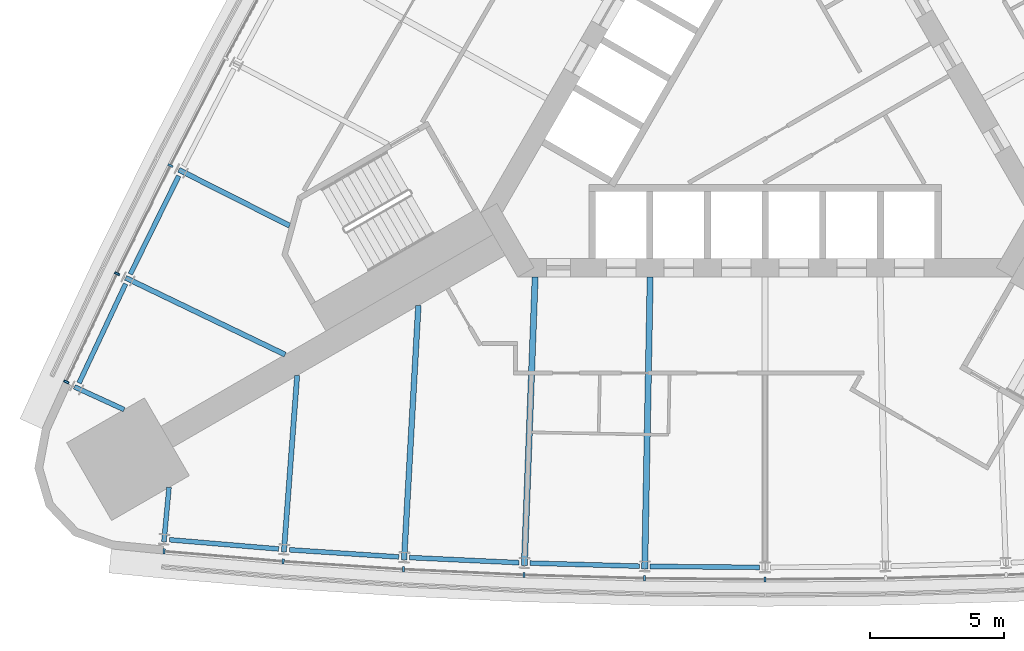
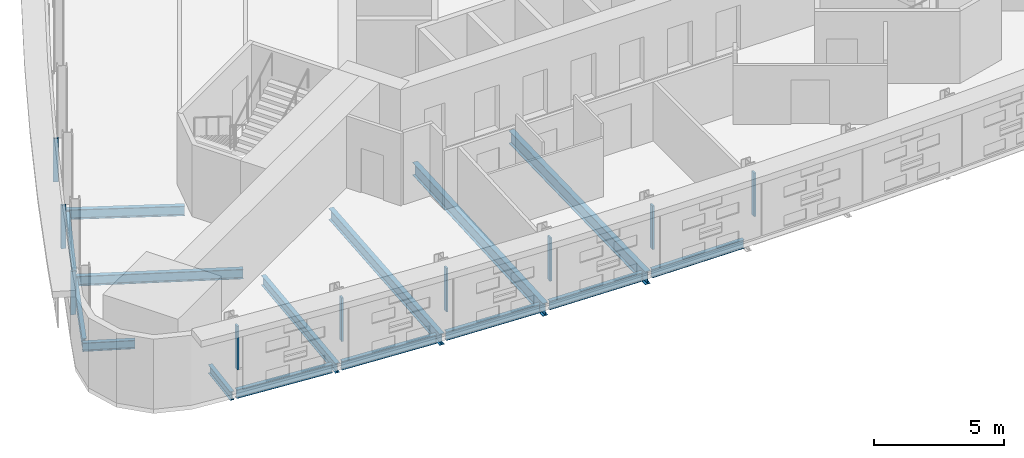
# One storey, part 2 of 14: 15 beams, 9 members, 2 elements without a shape of their own.
"""IFC4 building model written with IfcOpenShell, lengths in metres."""

import ifcopenshell
import ifcopenshell.guid

model = None  # the IFC model being written
_history = None  # IfcOwnerHistory: only IFC2X3 demands one
_inside = {}  # id of a spatial element -> (the spatial element, [elements in it])
_under = {}  # id of a project, library or spatial element -> (it, [spatial elements below it])
_declared = {}  # id of a project -> (the project, [libraries it declares])
_typed = {}  # id of a type object -> (the type object, [elements of that type])
_made_of = {}  # id of a material, layer set ... -> (it, [elements and type objects made of it])


def new_model(schema):
    """Start an empty IFC model of exactly this schema.

    Asked for "IFC4X3", IfcOpenShell would pick the latest addendum, in which some entities
    have other attributes; the version numbers below select the first issue.
    IFC2X3 requires an IfcOwnerHistory on every rooted entity: one is made here for all.
    """
    global model, _history
    if schema == "IFC4X3":
        model = ifcopenshell.file(schema_version=(4, 3, 0, 0))
    else:
        model = ifcopenshell.file(schema=schema)
    _inside.clear()
    _under.clear()
    _declared.clear()
    _typed.clear()
    _made_of.clear()
    _history = None
    if model.schema == "IFC2X3":
        org = make("IfcOrganization", Name="unknown")
        user = make(
            "IfcPersonAndOrganization",
            ThePerson=make("IfcPerson", FamilyName="unknown"),
            TheOrganization=org,
        )
        app = make(
            "IfcApplication",
            ApplicationDeveloper=org,
            Version="unknown",
            ApplicationFullName="unknown",
            ApplicationIdentifier="unknown",
        )
        _history = make(
            "IfcOwnerHistory",
            OwningUser=user,
            OwningApplication=app,
            ChangeAction="ADDED",
            CreationDate=0,
        )
    return model


def make(cls, **values):
    """One entity of the class cls with the attributes given. An attribute that is None is left unset."""
    return model.create_entity(
        cls, **{name: value for name, value in values.items() if value is not None}
    )


def rooted(cls, **values):
    """An entity with a GlobalId (a new one), such as an element, a storey or a relation."""
    return make(cls, GlobalId=ifcopenshell.guid.new(), OwnerHistory=_history, **values)


def si_unit(unit_type, name, prefix=None):
    """IfcSIUnit, for example si_unit("LENGTHUNIT", "METRE", prefix="MILLI")."""
    return make("IfcSIUnit", UnitType=unit_type, Prefix=prefix, Name=name)


def assignment(units):
    """IfcUnitAssignment: the units of a project."""
    return None if units is None else make("IfcUnitAssignment", Units=units)


def point(xyz):
    """IfcCartesianPoint."""
    return None if xyz is None else make("IfcCartesianPoint", Coordinates=xyz)


def direction(xyz):
    """IfcDirection."""
    return None if xyz is None else make("IfcDirection", DirectionRatios=xyz)


def frame(location, z_axis=None, x_axis=None):
    """IfcAxis2Placement3D, a coordinate frame: its origin and axes. An axis left out is left unset."""
    return make(
        "IfcAxis2Placement3D",
        Location=point(location),
        Axis=direction(z_axis),
        RefDirection=direction(x_axis),
    )


def frame_2d(location, x_axis=None):
    """IfcAxis2Placement2D, a coordinate frame in the plane: its origin and x axis."""
    return make(
        "IfcAxis2Placement2D", Location=point(location), RefDirection=direction(x_axis)
    )


def origin():
    """The frame at (0, 0, 0) with its axes left unset."""
    return frame((0.0, 0.0, 0.0))


def origin_2d():
    """The frame at (0, 0) in the plane with its x axis left unset."""
    return frame_2d((0.0, 0.0))


def place(relative_to, where):
    """IfcLocalPlacement: puts the frame where relative to a parent placement (None: the world)."""
    return make(
        "IfcLocalPlacement", PlacementRelTo=relative_to, RelativePlacement=where
    )


def context(
    kind, dimensions, precision=None, world=None, true_north=None, identifier=None
):
    """IfcGeometricRepresentationContext, for example the 3D "Model" context."""
    return make(
        "IfcGeometricRepresentationContext",
        ContextIdentifier=identifier,
        ContextType=kind,
        CoordinateSpaceDimension=dimensions,
        Precision=precision,
        WorldCoordinateSystem=world,
        TrueNorth=true_north,
    )


def subcontext(parent, identifier, kind, view, scale=None):
    """IfcGeometricRepresentationSubContext, for example "Body" below "Model"."""
    return make(
        "IfcGeometricRepresentationSubContext",
        ContextIdentifier=identifier,
        ContextType=kind,
        ParentContext=parent,
        TargetScale=scale,
        TargetView=view,
    )


def project(units=None, contexts=None):
    """IfcProject with its units and contexts."""
    return rooted(
        "IfcProject",
        Name="project",
        RepresentationContexts=contexts,
        UnitsInContext=assignment(units),
    )


def spatial(cls, under=None, at=None, **own):
    """A site, building, storey or space (cls), placed at a placement, below another one or the project."""
    s = rooted(cls, ObjectPlacement=at, **own)
    if under is not None:
        _under.setdefault(under.id(), (under, []))[1].append(s)
    return s


def profile(cls, at=None, kind="AREA", **sizes):
    """A parametric profile (cls). Its sizes go by their IFC names, for example OverallWidth=200.0."""
    return make(cls, ProfileType=kind, Position=at, **sizes)


def rectangle(**sizes):
    """IfcRectangleProfileDef."""
    return profile("IfcRectangleProfileDef", **sizes)


def i_section(**sizes):
    """IfcIShapeProfileDef."""
    return profile("IfcIShapeProfileDef", **sizes)


def extrude(swept, where, along, depth):
    """IfcExtrudedAreaSolid: the profile swept, set in the frame where, extruded along a direction by depth."""
    return make(
        "IfcExtrudedAreaSolid",
        SweptArea=swept,
        Position=where,
        ExtrudedDirection=direction(along),
        Depth=depth,
    )


def shape(context_of_items, identifier, shape_type, items):
    """IfcShapeRepresentation: the items that make up one representation, for example the "Body"."""
    return make(
        "IfcShapeRepresentation",
        ContextOfItems=context_of_items,
        RepresentationIdentifier=identifier,
        RepresentationType=shape_type,
        Items=items,
    )


def material(Name=None, Category=None):
    """IfcMaterial."""
    return make("IfcMaterial", Name=Name, Category=Category)


def material_profile(
    of_material, cross_section, Name=None, Category=None, Priority=None
):
    """IfcMaterialProfile: a cross section and its material."""
    return make(
        "IfcMaterialProfile",
        Name=Name,
        Material=of_material,
        Profile=cross_section,
        Priority=Priority,
        Category=Category,
    )


def profile_set(profiles, Name=None, composite=None):
    """IfcMaterialProfileSet."""
    return make(
        "IfcMaterialProfileSet",
        Name=Name,
        MaterialProfiles=profiles,
        CompositeProfile=composite,
    )


def made_of(thing, what):
    """Note that an element or type object is made of a material, layer set ...; save() writes the relation."""
    if what is not None:
        _made_of.setdefault(what.id(), (what, []))[1].append(thing)
    return thing


def type_object(cls, material=None, **own):
    """A type object (cls), such as IfcWallType, which elements share."""
    return made_of(rooted(cls, **own), material)


def element(
    cls,
    number,
    at=None,
    inside=None,
    cuts=None,
    type_object=None,
    material=None,
    context=None,
    identifier="Body",
    shape_type=None,
    held_by="IfcProductDefinitionShape",
    body=None,
    shapes=None,
    **own,
):
    """One element of the class cls, such as IfcWall. Its Tag is "e" and its number.

    at: its placement. inside: the storey or other place that contains it. cuts: it is an
    opening in that element (IfcRelVoidsElement). A single representation is given by context,
    identifier, shape_type and body (its items); several are given by shapes. held_by: the class
    of the entity that holds the representations. save() writes the other relations.
    """
    e = rooted(cls, Tag="e%d" % number, ObjectPlacement=at, **own)
    if body is not None:
        shapes = [shape(context, identifier, shape_type, body)]
    if shapes is not None:
        e.Representation = make(held_by, Representations=shapes)
    if inside is not None:
        _inside.setdefault(inside.id(), (inside, []))[1].append(e)
    if cuts is not None:
        rooted(
            "IfcRelVoidsElement", RelatingBuildingElement=cuts, RelatedOpeningElement=e
        )
    if type_object is not None:
        _typed.setdefault(type_object.id(), (type_object, []))[1].append(e)
    return made_of(e, material)


def aggregate(whole, parts):
    """IfcRelAggregates: a whole, such as a stair, and the parts it consists of."""
    return rooted("IfcRelAggregates", RelatingObject=whole, RelatedObjects=parts)


def save(model, path):
    """Write the relations noted so far, then the file.

    IfcRelAggregates (storeys below a building ...), IfcRelContainedInSpatialStructure (elements
    in a storey), IfcRelDefinesByType, IfcRelAssociatesMaterial and IfcRelDeclares: one each for
    every whole, place, type object, material and project.
    """
    for whole, parts in _under.values():
        aggregate(whole, parts)
    for where, things in _inside.values():
        rooted(
            "IfcRelContainedInSpatialStructure",
            RelatedElements=things,
            RelatingStructure=where,
        )
    for kind, things in _typed.values():
        rooted("IfcRelDefinesByType", RelatedObjects=things, RelatingType=kind)
    for what, things in _made_of.values():
        rooted("IfcRelAssociatesMaterial", RelatedObjects=things, RelatingMaterial=what)
    for by, libraries in _declared.values():
        rooted("IfcRelDeclares", RelatingContext=by, RelatedDefinitions=libraries)
    model.write(path)


model = new_model("IFC4")

# Units and contexts
model_context = context("Model", 3, precision=1e-05, world=origin(), true_north=direction((0.0, 1.0)))
body_context = subcontext(model_context, "Body", "Model", "MODEL_VIEW")
ifc_project = project(units=[si_unit("LENGTHUNIT", "METRE"), si_unit("AREAUNIT", "SQUARE_METRE"), si_unit("VOLUMEUNIT", "CUBIC_METRE"), si_unit("PLANEANGLEUNIT", "RADIAN"), si_unit("MASSUNIT", "GRAM", prefix="KILO")], contexts=[model_context])

# Site, building, storey
site_placement = place(None, origin())
site = spatial("IfcSite", under=ifc_project, at=site_placement, CompositionType="ELEMENT")
building_placement = place(site_placement, origin())
building = spatial("IfcBuilding", under=site, at=building_placement, Name="Noor Cloister Tower", CompositionType="ELEMENT")
storey_placement = place(building_placement, frame((0.0, 0.0, 42.0)))
storey = spatial("IfcBuildingStorey", under=building, at=storey_placement, Name="L10", CompositionType="ELEMENT", Elevation=42.0)

# Curtain wall, members
ifc_material_1 = material(Name="Aluminium 6063-T6 anodised", Category="aluminium")
curtain_wall_type = type_object("IfcCurtainWallType", Name="Ribbon curtain wall, lower tower CW1", PredefinedType="NOTDEFINED", material=ifc_material_1)
curtain_wall_1_placement = place(storey_placement, origin())
curtain_wall_1 = element("IfcCurtainWall", 1, at=curtain_wall_1_placement, inside=storey, type_object=curtain_wall_type, Name="CW1 L10 NW run 1", PredefinedType="NOTDEFINED")
ifc_material_2 = material(Name="Aluminium 6063-T6 anodised", Category="aluminium")
ifc_material_profile_1 = material_profile(ifc_material_2, rectangle(XDim=0.199951171875, YDim=0.080078125, at=origin_2d()), Name="200 x 80 mullion")
ifc_profile_set_1 = profile_set([ifc_material_profile_1], Name="Aluminium 6063-T6 anodised")
member_type = type_object("IfcMemberType", Name="Mullion CW1 80 x 200", PredefinedType="MULLION", material=ifc_profile_set_1)
member_1_placement = place(storey_placement, frame((-22.18310546875, -2.766357421875, 1.10009765625), z_axis=(0.0, 0.0, 1.0), x_axis=(0.892735341075, -0.450581414169, 0.0)))
member_1 = element("IfcMember", 2, at=member_1_placement, type_object=member_type, Name="CW1 mullion 9", PredefinedType="MULLION", context=body_context, shape_type="SweptSolid", body=[
    extrude(rectangle(XDim=0.199951171875, YDim=0.080078125, at=origin_2d()), origin(), (0.0, 0.0, 1.0), 2.0498046875),
])
member_2_placement = place(storey_placement, frame((-24.172119140625, -6.80078125, 1.10009765625), z_axis=(0.0, 0.0, 1.0), x_axis=(0.901016538018, -0.43378473719, 0.0)))
member_2 = element("IfcMember", 3, at=member_2_placement, type_object=member_type, Name="CW1 mullion 10", PredefinedType="MULLION", context=body_context, shape_type="SweptSolid", body=[
    extrude(rectangle(XDim=0.199951171875, YDim=0.080078125, at=origin_2d()), origin(), (0.0, 0.0, 1.0), 2.0498046875),
])
member_3_placement = place(storey_placement, frame((-26.068603515625, -10.83642578125, 1.10009765625), z_axis=(0.0, 0.0, 1.0), x_axis=(0.905038812816, -0.425328987134, 0.0)))
member_3 = element("IfcMember", 4, at=member_3_placement, type_object=member_type, Name="CW1 mullion 11", PredefinedType="MULLION", context=body_context, shape_type="SweptSolid", body=[
    extrude(rectangle(XDim=0.199951171875, YDim=0.080078125, at=origin_2d()), origin(), (0.0, 0.0, 1.0), 2.0498046875),
])
aggregate(curtain_wall_1, [member_1, member_2, member_3])

curtain_wall_2_placement = place(storey_placement, origin())
curtain_wall_2 = element("IfcCurtainWall", 5, at=curtain_wall_2_placement, inside=storey, type_object=curtain_wall_type, Name="CW1 L10 S run 2", PredefinedType="NOTDEFINED")
member_4_placement = place(storey_placement, frame((-22.4189453125, -17.157958984375, 1.10009765625), z_axis=(0.0, 0.0, 1.0), x_axis=(0.084173698584, 0.996451096877, 0.0)))
member_4 = element("IfcMember", 6, at=member_4_placement, type_object=member_type, Name="CW1 mullion 1", PredefinedType="MULLION", context=body_context, shape_type="SweptSolid", body=[
    extrude(rectangle(XDim=0.199951171875, YDim=0.080078125, at=origin_2d()), origin(), (0.0, 0.0, 1.0), 2.0498046875),
])
member_5_placement = place(storey_placement, frame((-17.9755859375, -17.533203125, 1.10009765625), z_axis=(0.0, 0.0, 1.0), x_axis=(0.074839666829, 0.997195579748, 0.0)))
member_5 = element("IfcMember", 7, at=member_5_placement, type_object=member_type, Name="CW1 mullion 2", PredefinedType="MULLION", context=body_context, shape_type="SweptSolid", body=[
    extrude(rectangle(XDim=0.199951171875, YDim=0.080078125, at=origin_2d()), origin(), (0.0, 0.0, 1.0), 2.0498046875),
])
member_6_placement = place(storey_placement, frame((-13.4873046875, -17.827880859375, 1.10009765625), z_axis=(0.0, 0.0, 1.0), x_axis=(0.056152719394, 0.998422191312, 0.0)))
member_6 = element("IfcMember", 8, at=member_6_placement, type_object=member_type, Name="CW1 mullion 3", PredefinedType="MULLION", context=body_context, shape_type="SweptSolid", body=[
    extrude(rectangle(XDim=0.199951171875, YDim=0.080078125, at=origin_2d()), origin(), (0.0, 0.0, 1.0), 2.0498046875),
])
member_7_placement = place(storey_placement, frame((-8.994140625, -18.038330078125, 1.10009765625), z_axis=(0.0, 0.0, 1.0), x_axis=(0.037446096272, 0.99929864899, 0.0)))
member_7 = element("IfcMember", 9, at=member_7_placement, type_object=member_type, Name="CW1 mullion 4", PredefinedType="MULLION", context=body_context, shape_type="SweptSolid", body=[
    extrude(rectangle(XDim=0.199951171875, YDim=0.080078125, at=origin_2d()), origin(), (0.0, 0.0, 1.0), 2.0498046875),
])
member_8_placement = place(storey_placement, frame((-4.497802734375, -18.164794921875, 1.10009765625), z_axis=(0.0, 0.0, 1.0), x_axis=(0.018726323132, 0.999824647037, 0.0)))
member_8 = element("IfcMember", 10, at=member_8_placement, type_object=member_type, Name="CW1 mullion 5", PredefinedType="MULLION", context=body_context, shape_type="SweptSolid", body=[
    extrude(rectangle(XDim=0.199951171875, YDim=0.080078125, at=origin_2d()), origin(), (0.0, 0.0, 1.0), 2.0498046875),
])
member_9_placement = place(storey_placement, frame((0.0, -18.206787109375, 1.10009765625), z_axis=(0.0, 0.0, 1.0), x_axis=(0.0, 1.0, 0.0)))
member_9 = element("IfcMember", 11, at=member_9_placement, type_object=member_type, Name="CW1 mullion 6", PredefinedType="MULLION", context=body_context, shape_type="SweptSolid", body=[
    extrude(rectangle(XDim=0.199951171875, YDim=0.080078125, at=origin_2d()), origin(), (0.0, 0.0, 1.0), 2.0498046875),
])
aggregate(curtain_wall_2, [member_4, member_5, member_6, member_7, member_8, member_9])

# Beams
ifc_material_3 = material(Name="Steel ASTM A992 Gr 50", Category="steel")
ifc_material_profile_2 = material_profile(ifc_material_3, i_section(OverallWidth=0.177978515625, OverallDepth=0.406005859375, WebThickness=0.0078125, FlangeThickness=0.0126953125, FilletRadius=0.01025390625, at=origin_2d()), Name="W410x60")
ifc_profile_set_2 = profile_set([ifc_material_profile_2], Name="Steel ASTM A992 Gr 50")
beam_type_1 = type_object("IfcBeamType", Name="Radial beam W410x60", PredefinedType="BEAM", material=ifc_profile_set_2)
for number, where, z_axis, x_axis, name in (
    (12, (-25.764404296875, -11.018798828125, -0.403076171875), (0.908989304817, -0.416819437801, 0.0), (0.416819437801, 0.908989304817, 0.0), "Radial beam NW 11 L10"),
    (13, (-22.4248046875, -16.80322265625, -0.403076171875), (0.093533376396, 0.995616144656, 0.0), (-0.995616144656, 0.093533376396, 0.0), "Radial beam S 01 L10"),
):
    element("IfcBeam", number, at=place(storey_placement, frame(where, z_axis=z_axis, x_axis=x_axis)), inside=storey, type_object=beam_type_1, Name=name, PredefinedType="BEAM", context=body_context, shape_type="SweptSolid", body=[
        extrude(i_section(OverallWidth=0.177978515625, OverallDepth=0.406005859375, WebThickness=0.0078125, FlangeThickness=0.0126953125, FilletRadius=0.01025390625, at=origin_2d()), origin(), (0.0, 0.0, 1.0), 2.041259765625),
    ])
ifc_material_4 = material(Name="Steel ASTM A992 Gr 50", Category="steel")
ifc_material_profile_3 = material_profile(ifc_material_4, i_section(OverallWidth=0.19091796875, OverallDepth=0.45703125, WebThickness=0.009033203125, FlangeThickness=0.014404296875, FilletRadius=0.01025390625, at=origin_2d()), Name="W460x74")
ifc_profile_set_3 = profile_set([ifc_material_profile_3], Name="Steel ASTM A992 Gr 50")
beam_type_2 = type_object("IfcBeamType", Name="Radial beam W460x74", PredefinedType="BEAM", material=ifc_profile_set_3)
beam_1_placement = place(storey_placement, frame((-21.867919921875, -2.925537109375, -0.428466796875), z_axis=(0.892743942628, -0.450564371541, 0.0), x_axis=(0.450564371541, 0.892743942628, 0.0)))
element("IfcBeam", 14, at=beam_1_placement, inside=storey, type_object=beam_type_2, Name="Radial beam NW 09 L10", PredefinedType="BEAM", context=body_context, shape_type="SweptSolid", body=[
    extrude(i_section(OverallWidth=0.19091796875, OverallDepth=0.45703125, WebThickness=0.009033203125, FlangeThickness=0.014404296875, FilletRadius=0.01025390625, at=origin_2d()), origin(), (0.0, 0.0, 1.0), 4.629638671875),
])
beam_2_placement = place(storey_placement, frame((-23.85400390625, -6.953857421875, -0.428466796875), z_axis=(0.901019869253, -0.433777817795, 0.0), x_axis=(0.433777817795, 0.901019869253, 0.0)))
element("IfcBeam", 15, at=beam_2_placement, inside=storey, type_object=beam_type_2, Name="Radial beam NW 10 L10", PredefinedType="BEAM", context=body_context, shape_type="SweptSolid", body=[
    extrude(i_section(OverallWidth=0.19091796875, OverallDepth=0.45703125, WebThickness=0.009033203125, FlangeThickness=0.014404296875, FilletRadius=0.01025390625, at=origin_2d()), origin(), (0.0, 0.0, 1.0), 6.6025390625),
])
beam_3_placement = place(storey_placement, frame((-17.94921875, -17.18115234375, -0.428466796875), z_axis=(0.074844186113, 0.997195240565, 0.0), x_axis=(-0.997195240565, 0.074844186113, 0.0)))
element("IfcBeam", 16, at=beam_3_placement, inside=storey, type_object=beam_type_2, Name="Radial beam S 02 L10", PredefinedType="BEAM", context=body_context, shape_type="SweptSolid", body=[
    extrude(i_section(OverallWidth=0.19091796875, OverallDepth=0.45703125, WebThickness=0.009033203125, FlangeThickness=0.014404296875, FilletRadius=0.01025390625, at=origin_2d()), origin(), (0.0, 0.0, 1.0), 6.602294921875),
])
ifc_material_5 = material(Name="Steel ASTM A992 Gr 50", Category="steel")
ifc_material_profile_4 = material_profile(ifc_material_5, i_section(OverallWidth=0.208984375, OverallDepth=0.532958984375, WebThickness=0.01025390625, FlangeThickness=0.015625, FilletRadius=0.0126953125, at=origin_2d()), Name="W530x92")
ifc_profile_set_4 = profile_set([ifc_material_profile_4], Name="Steel ASTM A992 Gr 50")
beam_type_3 = type_object("IfcBeamType", Name="Radial beam W530x92", PredefinedType="BEAM", material=ifc_profile_set_4)
beam_4_placement = place(storey_placement, frame((-13.467529296875, -17.475341796875, -0.466552734375), z_axis=(0.056158660451, 0.998421857161, 0.0), x_axis=(-0.998421857161, 0.056158660451, 0.0)))
element("IfcBeam", 17, at=beam_4_placement, inside=storey, type_object=beam_type_3, Name="Radial beam S 03 L10", PredefinedType="BEAM", context=body_context, shape_type="SweptSolid", body=[
    extrude(i_section(OverallWidth=0.208984375, OverallDepth=0.532958984375, WebThickness=0.01025390625, FlangeThickness=0.015625, FilletRadius=0.0126953125, at=origin_2d()), origin(), (0.0, 0.0, 1.0), 9.503173828125),
])
ifc_material_6 = material(Name="Steel ASTM A992 Gr 50", Category="steel")
ifc_material_profile_5 = material_profile(ifc_material_6, i_section(OverallWidth=0.22802734375, OverallDepth=0.60205078125, WebThickness=0.010498046875, FlangeThickness=0.014892578125, FilletRadius=0.0126953125, at=origin_2d()), Name="W610x101")
ifc_profile_set_5 = profile_set([ifc_material_profile_5], Name="Steel ASTM A992 Gr 50")
beam_type_4 = type_object("IfcBeamType", Name="Radial beam W610x101", PredefinedType="BEAM", material=ifc_profile_set_5)
beam_5_placement = place(storey_placement, frame((-8.98095703125, -17.685546875, -0.5009765625), z_axis=(0.037443652595, 0.999298740558, 0.0), x_axis=(-0.999298740558, 0.037443652595, 0.0)))
element("IfcBeam", 18, at=beam_5_placement, inside=storey, type_object=beam_type_4, Name="Radial beam S 04 L10", PredefinedType="BEAM", context=body_context, shape_type="SweptSolid", body=[
    extrude(i_section(OverallWidth=0.22802734375, OverallDepth=0.60205078125, WebThickness=0.010498046875, FlangeThickness=0.014892578125, FilletRadius=0.0126953125, at=origin_2d()), origin(), (0.0, 0.0, 1.0), 10.764892578125),
])
ifc_material_7 = material(Name="Steel ASTM A992 Gr 50", Category="steel")
ifc_material_profile_6 = material_profile(ifc_material_7, i_section(OverallWidth=0.22900390625, OverallDepth=0.612060546875, WebThickness=0.011962890625, FlangeThickness=0.01953125, FilletRadius=0.0126953125, at=origin_2d()), Name="W610x125")
ifc_profile_set_6 = profile_set([ifc_material_profile_6], Name="Steel ASTM A992 Gr 50")
beam_type_5 = type_object("IfcBeamType", Name="Radial beam W610x125", PredefinedType="BEAM", material=ifc_profile_set_6)
beam_6_placement = place(storey_placement, frame((-4.4912109375, -17.811767578125, -0.506103515625), z_axis=(0.01872750761, 0.999824624851, 0.0), x_axis=(-0.999824624851, 0.01872750761, 0.0)))
element("IfcBeam", 19, at=beam_6_placement, inside=storey, type_object=beam_type_5, Name="Radial beam S 05 L10", PredefinedType="BEAM", context=body_context, shape_type="SweptSolid", body=[
    extrude(i_section(OverallWidth=0.22900390625, OverallDepth=0.612060546875, WebThickness=0.011962890625, FlangeThickness=0.01953125, FilletRadius=0.0126953125, at=origin_2d()), origin(), (0.0, 0.0, 1.0), 10.885498046875),
])
ifc_material_8 = material(Name="Steel ASTM A992 Gr 50", Category="steel")
ifc_material_profile_7 = material_profile(ifc_material_8, i_section(OverallWidth=0.177978515625, OverallDepth=0.406005859375, WebThickness=0.0078125, FlangeThickness=0.0126953125, FilletRadius=0.01025390625, at=origin_2d()), Name="W410x60")
ifc_profile_set_7 = profile_set([ifc_material_profile_7], Name="Steel ASTM A992 Gr 50")
beam_type_6 = type_object("IfcBeamType", Name="Spandrel beam W410x60", PredefinedType="SPANDREL", material=ifc_profile_set_7)
beam_7_placement = place(storey_placement, frame((-21.87060546875, -3.150390625, -0.403076171875), z_axis=(-0.442210832263, -0.896911132626, 0.0), x_axis=(0.896911132626, -0.442210832263, 0.0)))
element("IfcBeam", 20, at=beam_7_placement, inside=storey, type_object=beam_type_6, Name="Spandrel beam NW 09 L10", PredefinedType="SPANDREL", context=body_context, shape_type="SweptSolid", body=[
    extrude(i_section(OverallWidth=0.177978515625, OverallDepth=0.406005859375, WebThickness=0.0078125, FlangeThickness=0.0126953125, FilletRadius=0.01025390625, at=origin_2d()), origin(), (0.0, 0.0, 1.0), 4.08544921875),
])
beam_8_placement = place(storey_placement, frame((-23.8525390625, -7.1787109375, -0.403076171875), z_axis=(-0.425330795052, -0.905037963171, 0.0), x_axis=(0.905037963171, -0.425330795052, 0.0)))
element("IfcBeam", 21, at=beam_8_placement, inside=storey, type_object=beam_type_6, Name="Spandrel beam NW 10 L10", PredefinedType="SPANDREL", context=body_context, shape_type="SweptSolid", body=[
    extrude(i_section(OverallWidth=0.177978515625, OverallDepth=0.406005859375, WebThickness=0.0078125, FlangeThickness=0.0126953125, FilletRadius=0.01025390625, at=origin_2d()), origin(), (0.0, 0.0, 1.0), 4.085693359375),
])
beam_9_placement = place(storey_placement, frame((-22.21435546875, -16.7236328125, -0.403076171875), z_axis=(0.996454080445, -0.08413837153, 0.0), x_axis=(0.08413837153, 0.996454080445, 0.0)))
element("IfcBeam", 22, at=beam_9_placement, inside=storey, type_object=beam_type_6, Name="Spandrel beam S 01 L10", PredefinedType="SPANDREL", context=body_context, shape_type="SweptSolid", body=[
    extrude(i_section(OverallWidth=0.177978515625, OverallDepth=0.406005859375, WebThickness=0.0078125, FlangeThickness=0.0126953125, FilletRadius=0.01025390625, at=origin_2d()), origin(), (0.0, 0.0, 1.0), 4.08544921875),
])
beam_10_placement = place(storey_placement, frame((-17.740478515625, -17.09765625, -0.403076171875), z_axis=(0.997853109694, -0.065491766467, 0.0), x_axis=(0.065491766467, 0.997853109694, 0.0)))
element("IfcBeam", 23, at=beam_10_placement, inside=storey, type_object=beam_type_6, Name="Spandrel beam S 02 L10", PredefinedType="SPANDREL", context=body_context, shape_type="SweptSolid", body=[
    extrude(i_section(OverallWidth=0.177978515625, OverallDepth=0.406005859375, WebThickness=0.0078125, FlangeThickness=0.0126953125, FilletRadius=0.01025390625, at=origin_2d()), origin(), (0.0, 0.0, 1.0), 4.085693359375),
])
beam_11_placement = place(storey_placement, frame((-13.26025390625, -17.387939453125, -0.403076171875), z_axis=(0.998904745987, -0.046790046429, 0.0), x_axis=(0.046790046429, 0.998904745987, 0.0)))
element("IfcBeam", 24, at=beam_11_placement, inside=storey, type_object=beam_type_6, Name="Spandrel beam S 03 L10", PredefinedType="SPANDREL", context=body_context, shape_type="SweptSolid", body=[
    extrude(i_section(OverallWidth=0.177978515625, OverallDepth=0.406005859375, WebThickness=0.0078125, FlangeThickness=0.0126953125, FilletRadius=0.01025390625, at=origin_2d()), origin(), (0.0, 0.0, 1.0), 4.08544921875),
])
for number, where, z_axis, x_axis, name in (
    (25, (-8.775390625, -17.59423828125, -0.403076171875), (0.999605523948, -0.028085521058, 0.0), (0.028085521058, 0.999605523948, 0.0), "Spandrel beam S 04 L10"),
    (26, (-4.287353515625, -17.716552734375, -0.403076171875), (0.99995599104, -0.009381683435, 0.0), (0.009381683435, 0.99995599104, 0.0), "Spandrel beam S 05 L10"),
):
    element("IfcBeam", number, at=place(storey_placement, frame(where, z_axis=z_axis, x_axis=x_axis)), inside=storey, type_object=beam_type_6, Name=name, PredefinedType="SPANDREL", context=body_context, shape_type="SweptSolid", body=[
        extrude(i_section(OverallWidth=0.177978515625, OverallDepth=0.406005859375, WebThickness=0.0078125, FlangeThickness=0.0126953125, FilletRadius=0.01025390625, at=origin_2d()), origin(), (0.0, 0.0, 1.0), 4.085693359375),
    ])

save(model, "model.ifc")
